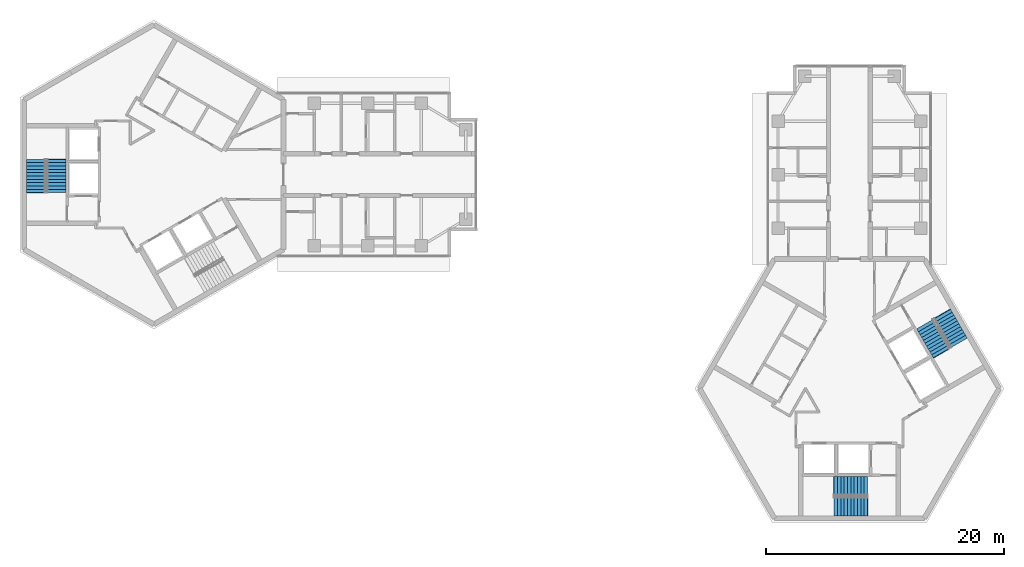
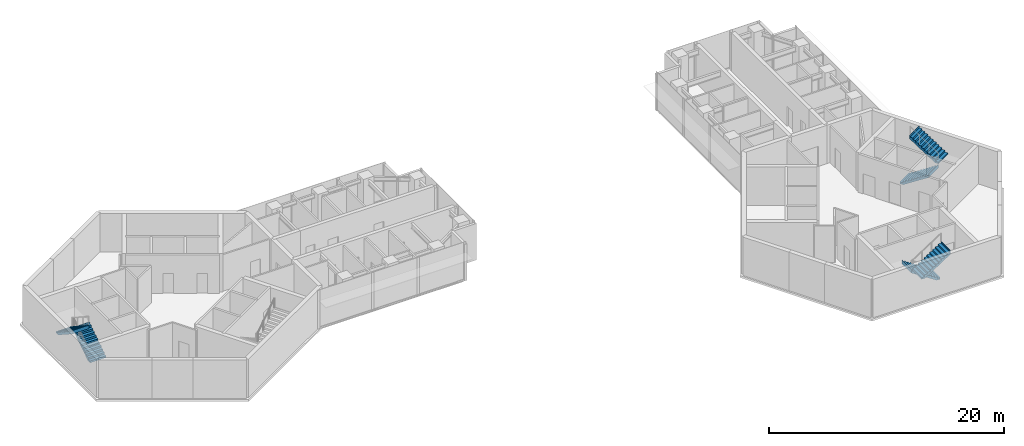
# One storey, part 10 of 11: 6 stair flights, 3 elements without a shape of their own.
"""IFC4 building model written with IfcOpenShell, lengths in metres."""

from ifc_helpers import new_model, si_unit, direction, frame, origin, place, context, subcontext, project, spatial, polyline, outline, extrude, material, type_object, element, aggregate, save


model = new_model("IFC4")

# Units and contexts
model_context = context("Model", 3, precision=1e-05, world=origin(), true_north=direction((0.0, 1.0)))
body_context = subcontext(model_context, "Body", "Model", "MODEL_VIEW")
ifc_project = project(units=[si_unit("LENGTHUNIT", "METRE"), si_unit("AREAUNIT", "SQUARE_METRE"), si_unit("VOLUMEUNIT", "CUBIC_METRE"), si_unit("PLANEANGLEUNIT", "RADIAN"), si_unit("MASSUNIT", "GRAM", prefix="KILO")], contexts=[model_context])

# Site, building, storey
site_placement = place(None, origin())
site = spatial("IfcSite", under=ifc_project, at=site_placement, CompositionType="ELEMENT")
building_placement = place(site_placement, origin())
building = spatial("IfcBuilding", under=site, at=building_placement, Name="Upepo Twin Towers", CompositionType="ELEMENT")
storey_placement = place(building_placement, frame((0.0, 0.0, 259.5)))
storey = spatial("IfcBuildingStorey", under=building, at=storey_placement, Name="L63", CompositionType="ELEMENT", Elevation=259.5)

# Stair, stair flights
ifc_material_1 = material(Name="Concrete C40/50", Category="concrete")
stair_type = type_object("IfcStairType", Name="Core stair, two flights", PredefinedType="HALF_TURN_STAIR", material=ifc_material_1)
stair_1_placement = place(storey_placement, origin())
stair_1 = element("IfcStair", 1, at=stair_1_placement, inside=storey, type_object=stair_type, Name="T1 stair S1 L63", PredefinedType="HALF_TURN_STAIR")
ifc_material_2 = material(Name="Concrete C40/50", Category="concrete")
stair_flight_type = type_object("IfcStairFlightType", Name="Stair flight 1600 RC", PredefinedType="STRAIGHT", material=ifc_material_2)
stair_flight_1_placement = place(storey_placement, frame((-8.199951171875, -1.52001953125, 0.0), z_axis=(0.0, 0.0, 1.0), x_axis=(0.0, 1.0, 0.0)))
stair_flight_1 = element("IfcStairFlight", 2, at=stair_flight_1_placement, type_object=stair_flight_type, Name="Stair S1 flight 1", NumberOfRisers=11, NumberOfTreads=10, PredefinedType="STRAIGHT", RiserHeight=0.181818182, TreadLength=0.28, context=body_context, shape_type="SweptSolid", body=[
    extrude(outline(polyline([(0.0, 0.0), (0.0, 0.181884765625), (0.280029296875, 0.181884765625), (0.280029296875, 0.363525390625), (0.56005859375, 0.363525390625), (0.56005859375, 0.54541015625), (0.840087890625, 0.54541015625), (0.840087890625, 0.727294921875), (1.1201171875, 0.727294921875), (1.1201171875, 0.9091796875), (1.39990234375, 0.9091796875), (1.39990234375, 1.0908203125), (1.679931640625, 1.0908203125), (1.679931640625, 1.272705078125), (1.9599609375, 1.272705078125), (1.9599609375, 1.45458984375), (2.239990234375, 1.45458984375), (2.239990234375, 1.636474609375), (2.52001953125, 1.636474609375), (2.52001953125, 1.818115234375), (2.800048828125, 1.818115234375), (2.800048828125, 2.0), (2.85009765625, 2.0), (2.85009765625, 1.639404296875), (0.3251953125, 0.0), (0.0, 0.0)])), frame((0.0, 0.800048828125, 0.0), z_axis=(0.0, -1.0, 0.0), x_axis=(1.0, 0.0, 0.0)), (0.0, 0.0, 1.0), 1.60009765625),
])
stair_flight_2_placement = place(storey_placement, frame((-9.908447265625, 1.280029296875, 2.0), z_axis=(0.0, 0.0, 1.0), x_axis=(0.0, -1.0, 0.0)))
stair_flight_2 = element("IfcStairFlight", 3, at=stair_flight_2_placement, type_object=stair_flight_type, Name="Stair S1 flight 2", NumberOfRisers=11, NumberOfTreads=10, PredefinedType="STRAIGHT", RiserHeight=0.181818182, TreadLength=0.28, context=body_context, shape_type="SweptSolid", body=[
    extrude(outline(polyline([(0.0, 0.0), (0.0, 0.181884765625), (0.280029296875, 0.181884765625), (0.280029296875, 0.363525390625), (0.56005859375, 0.363525390625), (0.56005859375, 0.54541015625), (0.840087890625, 0.54541015625), (0.840087890625, 0.727294921875), (1.1201171875, 0.727294921875), (1.1201171875, 0.9091796875), (1.39990234375, 0.9091796875), (1.39990234375, 1.0908203125), (1.679931640625, 1.0908203125), (1.679931640625, 1.272705078125), (1.9599609375, 1.272705078125), (1.9599609375, 1.45458984375), (2.239990234375, 1.45458984375), (2.239990234375, 1.636474609375), (2.52001953125, 1.636474609375), (2.52001953125, 1.818115234375), (2.800048828125, 1.818115234375), (2.800048828125, 2.0), (2.85009765625, 2.0), (2.85009765625, 1.639404296875), (0.3251953125, 0.0), (0.0, 0.0)])), frame((0.0, 0.800048828125, 0.0), z_axis=(0.0, -1.0, 0.0), x_axis=(1.0, 0.0, 0.0)), (0.0, 0.0, 1.0), 1.60009765625),
])
aggregate(stair_1, [stair_flight_1, stair_flight_2])

stair_2_placement = place(storey_placement, origin())
stair_2 = element("IfcStair", 4, at=stair_2_placement, inside=storey, type_object=stair_type, Name="T2 stair S1 L63", PredefinedType="HALF_TURN_STAIR")
stair_flight_3_placement = place(storey_placement, frame((60.02001953125, -26.199951171875, 0.0), z_axis=(0.0, 0.0, 1.0), x_axis=(-1.0, 0.0, 0.0)))
stair_flight_3 = element("IfcStairFlight", 5, at=stair_flight_3_placement, type_object=stair_flight_type, Name="Stair S1 flight 1", NumberOfRisers=11, NumberOfTreads=10, PredefinedType="STRAIGHT", RiserHeight=0.181818182, TreadLength=0.28, context=body_context, shape_type="SweptSolid", body=[
    extrude(outline(polyline([(0.0, 0.0), (0.0, 0.181884765625), (0.280029296875, 0.181884765625), (0.280029296875, 0.363525390625), (0.56005859375, 0.363525390625), (0.56005859375, 0.54541015625), (0.840087890625, 0.54541015625), (0.840087890625, 0.727294921875), (1.1201171875, 0.727294921875), (1.1201171875, 0.9091796875), (1.39990234375, 0.9091796875), (1.39990234375, 1.0908203125), (1.679931640625, 1.0908203125), (1.679931640625, 1.272705078125), (1.9599609375, 1.272705078125), (1.9599609375, 1.45458984375), (2.239990234375, 1.45458984375), (2.239990234375, 1.636474609375), (2.52001953125, 1.636474609375), (2.52001953125, 1.818115234375), (2.800048828125, 1.818115234375), (2.800048828125, 2.0), (2.85009765625, 2.0), (2.85009765625, 1.639404296875), (0.3251953125, 0.0), (0.0, 0.0)])), frame((0.0, 0.800048828125, 0.0), z_axis=(0.0, -1.0, 0.0), x_axis=(1.0, 0.0, 0.0)), (0.0, 0.0, 1.0), 1.60009765625),
])
stair_flight_4_placement = place(storey_placement, frame((57.219970703125, -27.908447265625, 2.0), z_axis=(0.0, 0.0, 1.0), x_axis=(1.0, 0.0, 0.0)))
stair_flight_4 = element("IfcStairFlight", 6, at=stair_flight_4_placement, type_object=stair_flight_type, Name="Stair S1 flight 2", NumberOfRisers=11, NumberOfTreads=10, PredefinedType="STRAIGHT", RiserHeight=0.181818182, TreadLength=0.28, context=body_context, shape_type="SweptSolid", body=[
    extrude(outline(polyline([(0.0, 0.0), (0.0, 0.181884765625), (0.280029296875, 0.181884765625), (0.280029296875, 0.363525390625), (0.56005859375, 0.363525390625), (0.56005859375, 0.54541015625), (0.840087890625, 0.54541015625), (0.840087890625, 0.727294921875), (1.1201171875, 0.727294921875), (1.1201171875, 0.9091796875), (1.39990234375, 0.9091796875), (1.39990234375, 1.0908203125), (1.679931640625, 1.0908203125), (1.679931640625, 1.272705078125), (1.9599609375, 1.272705078125), (1.9599609375, 1.45458984375), (2.239990234375, 1.45458984375), (2.239990234375, 1.636474609375), (2.52001953125, 1.636474609375), (2.52001953125, 1.818115234375), (2.800048828125, 1.818115234375), (2.800048828125, 2.0), (2.85009765625, 2.0), (2.85009765625, 1.639404296875), (0.3251953125, 0.0), (0.0, 0.0)])), frame((0.0, 0.800048828125, 0.0), z_axis=(0.0, -1.0, 0.0), x_axis=(1.0, 0.0, 0.0)), (0.0, 0.0, 1.0), 1.60009765625),
])
aggregate(stair_2, [stair_flight_3, stair_flight_4])

stair_3_placement = place(storey_placement, origin())
stair_3 = element("IfcStair", 7, at=stair_3_placement, inside=storey, type_object=stair_type, Name="T2 stair S2 L63", PredefinedType="HALF_TURN_STAIR")
stair_flight_5_placement = place(storey_placement, frame((64.84130859375, -12.583740234375, 0.0), z_axis=(0.0, 0.0, 1.0), x_axis=(0.5, -0.866025403784, 0.0)))
stair_flight_5 = element("IfcStairFlight", 8, at=stair_flight_5_placement, type_object=stair_flight_type, Name="Stair S2 flight 1", NumberOfRisers=11, NumberOfTreads=10, PredefinedType="STRAIGHT", RiserHeight=0.181818182, TreadLength=0.28, context=body_context, shape_type="SweptSolid", body=[
    extrude(outline(polyline([(0.0, 0.0), (0.0, 0.181884765625), (0.280029296875, 0.181884765625), (0.280029296875, 0.363525390625), (0.56005859375, 0.363525390625), (0.56005859375, 0.54541015625), (0.840087890625, 0.54541015625), (0.840087890625, 0.727294921875), (1.1201171875, 0.727294921875), (1.1201171875, 0.9091796875), (1.39990234375, 0.9091796875), (1.39990234375, 1.0908203125), (1.679931640625, 1.0908203125), (1.679931640625, 1.272705078125), (1.9599609375, 1.272705078125), (1.9599609375, 1.45458984375), (2.239990234375, 1.45458984375), (2.239990234375, 1.636474609375), (2.52001953125, 1.636474609375), (2.52001953125, 1.818115234375), (2.800048828125, 1.818115234375), (2.800048828125, 2.0), (2.85009765625, 2.0), (2.85009765625, 1.639404296875), (0.3251953125, 0.0), (0.0, 0.0)])), frame((0.0, 0.800048828125, 0.0), z_axis=(0.0, -1.0, 0.0), x_axis=(1.0, 0.0, 0.0)), (0.0, 0.0, 1.0), 1.60009765625),
])
stair_flight_6_placement = place(storey_placement, frame((67.720947265625, -14.154296875, 2.0), z_axis=(0.0, 0.0, 1.0), x_axis=(-0.5, 0.866025403784, 0.0)))
stair_flight_6 = element("IfcStairFlight", 9, at=stair_flight_6_placement, type_object=stair_flight_type, Name="Stair S2 flight 2", NumberOfRisers=11, NumberOfTreads=10, PredefinedType="STRAIGHT", RiserHeight=0.181818182, TreadLength=0.28, context=body_context, shape_type="SweptSolid", body=[
    extrude(outline(polyline([(0.0, 0.0), (0.0, 0.181884765625), (0.280029296875, 0.181884765625), (0.280029296875, 0.363525390625), (0.56005859375, 0.363525390625), (0.56005859375, 0.54541015625), (0.840087890625, 0.54541015625), (0.840087890625, 0.727294921875), (1.1201171875, 0.727294921875), (1.1201171875, 0.9091796875), (1.39990234375, 0.9091796875), (1.39990234375, 1.0908203125), (1.679931640625, 1.0908203125), (1.679931640625, 1.272705078125), (1.9599609375, 1.272705078125), (1.9599609375, 1.45458984375), (2.239990234375, 1.45458984375), (2.239990234375, 1.636474609375), (2.52001953125, 1.636474609375), (2.52001953125, 1.818115234375), (2.800048828125, 1.818115234375), (2.800048828125, 2.0), (2.85009765625, 2.0), (2.85009765625, 1.639404296875), (0.3251953125, 0.0), (0.0, 0.0)])), frame((0.0, 0.800048828125, 0.0), z_axis=(0.0, -1.0, 0.0), x_axis=(1.0, 0.0, 0.0)), (0.0, 0.0, 1.0), 1.60009765625),
])
aggregate(stair_3, [stair_flight_5, stair_flight_6])

save(model, "model.ifc")
